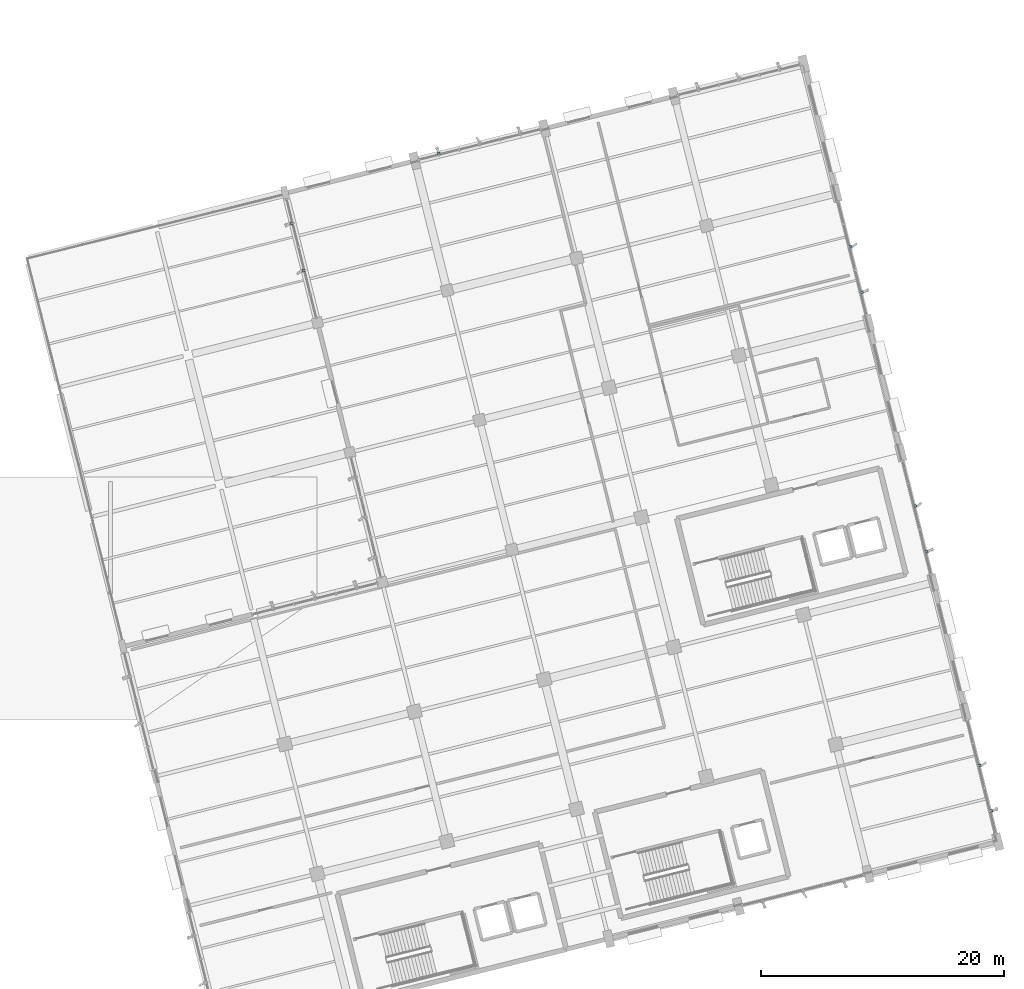
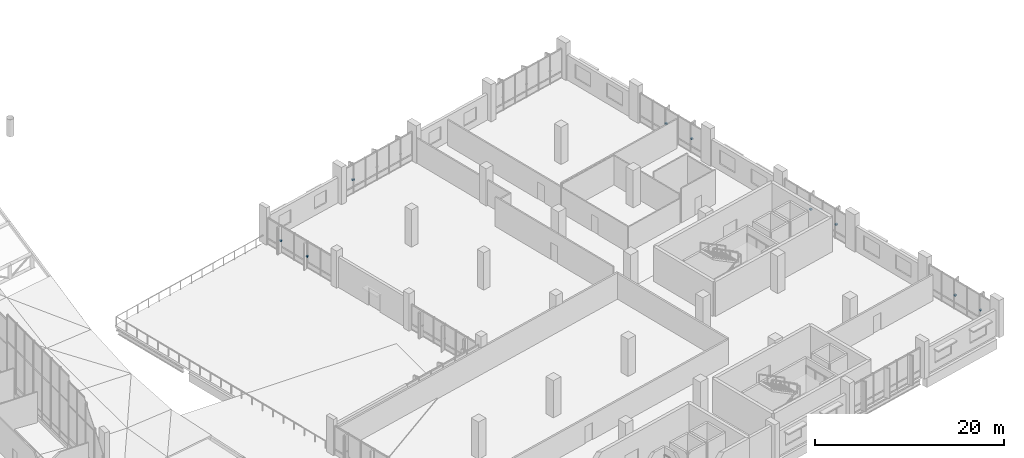
# One storey, part 128 of 137: 9 discrete accessories.
"""IFC4 building model written with IfcOpenShell, lengths in metres."""

from ifc_helpers import new_model, si_unit, direction, frame, origin, origin_2d, place, context, subcontext, project, spatial, rectangle, extrude, material, type_object, element, save


model = new_model("IFC4")

# Units and contexts
model_context = context("Model", 3, precision=1e-05, world=origin(), true_north=direction((0.0, 1.0)))
body_context = subcontext(model_context, "Body", "Model", "MODEL_VIEW")
ifc_project = project(units=[si_unit("LENGTHUNIT", "METRE"), si_unit("AREAUNIT", "SQUARE_METRE"), si_unit("VOLUMEUNIT", "CUBIC_METRE"), si_unit("PLANEANGLEUNIT", "RADIAN"), si_unit("MASSUNIT", "GRAM", prefix="KILO")], contexts=[model_context])

# Site, building, storey
site_placement = place(None, origin())
site = spatial("IfcSite", under=ifc_project, at=site_placement, CompositionType="ELEMENT")
building_placement = place(site_placement, origin())
building = spatial("IfcBuilding", under=site, at=building_placement, Name="Khorjan Park Terminus", CompositionType="ELEMENT")
storey_placement = place(building_placement, frame((0.0, 0.0, 11.4)))
storey = spatial("IfcBuildingStorey", under=building, at=storey_placement, Name="L02", CompositionType="ELEMENT", Elevation=11.4)

# Discrete accessories
ifc_material = material(Name="Steel S355", Category="steel")
discrete_accessory_type = type_object("IfcDiscreteAccessoryType", Name="ACC-BRK-FIN", PredefinedType="BRACKET", material=ifc_material)
for number, where, z_axis, x_axis, name in (
    (1, (229.4959, 20.5192, 1.6512), (0.0, 0.0, 1.0), (-0.241920488516, 0.9702960771, 0.0), "Solar fin structural bracket BK-01 (CW-V5-E-L02-B01-1)"),
    (2, (228.563, 24.2607, 1.6512), (0.0, 0.0, 1.0), (-0.241920488516, 0.9702960771, 0.0), "Solar fin structural bracket BK-01 (CW-V5-E-L02-B01-3)"),
    (3, (224.1736, 41.8656, 1.6558), (0.0, 0.0, 1.0), (-0.241922975976, 0.970295456907, 0.0), "Solar fin structural bracket BK-01 (CW-V5-E-L02-B03-1)"),
    (4, (223.2407, 45.6073, 1.6558), (0.0, 0.0, 1.0), (-0.241922975976, 0.970295456907, 0.0), "Solar fin structural bracket BK-01 (CW-V5-E-L02-B03-3)"),
    (5, (218.8514, 63.2123, 1.6333), (0.0, 0.0, 1.0), (-0.241935125171, 0.970292427678, 0.0), "Solar fin structural bracket BK-01 (CW-V5-E-L02-B05-1)"),
    (6, (217.9185, 66.9536, 1.6333), (0.0, 0.0, 1.0), (-0.241935125171, 0.970292427678, 0.0), "Solar fin structural bracket BK-01 (CW-V5-E-L02-B05-3)"),
    (7, (184.0235, 74.607, 1.6333), (0.0, 0.0, 1.0), (-0.970295910648, -0.241921156122, 0.0), "Solar fin structural bracket BK-01 (CW-V5-N1-L02-B03-5)"),
    (8, (171.9076, 68.8726, 1.4848), (0.0, 0.0, 1.0), (0.241920791413, -0.97029600158, 0.0), "Solar fin structural bracket BK-01 (CW-V5-NW1-L02-B01-1)"),
    (9, (172.8817, 64.9659, 1.4848), (0.0, 0.0, 1.0), (0.241920791413, -0.97029600158, 0.0), "Solar fin structural bracket BK-01 (CW-V5-NW1-L02-B01-3)"),
):
    element("IfcDiscreteAccessory", number, at=place(storey_placement, frame(where, z_axis=z_axis, x_axis=x_axis)), inside=storey, type_object=discrete_accessory_type, Name=name, PredefinedType="BRACKET", context=body_context, shape_type="SweptSolid", body=[
        extrude(rectangle(XDim=0.22, YDim=0.22, at=origin_2d()), origin(), (0.0, 0.0, 1.0), 0.14),
    ])

save(model, "model.ifc")
